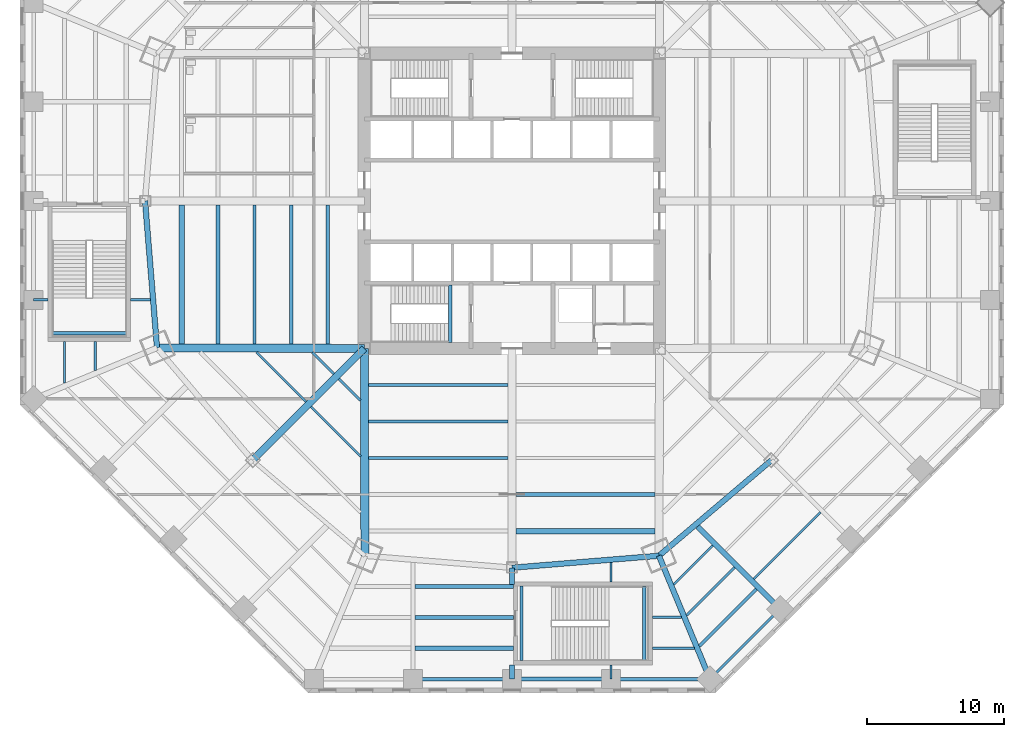
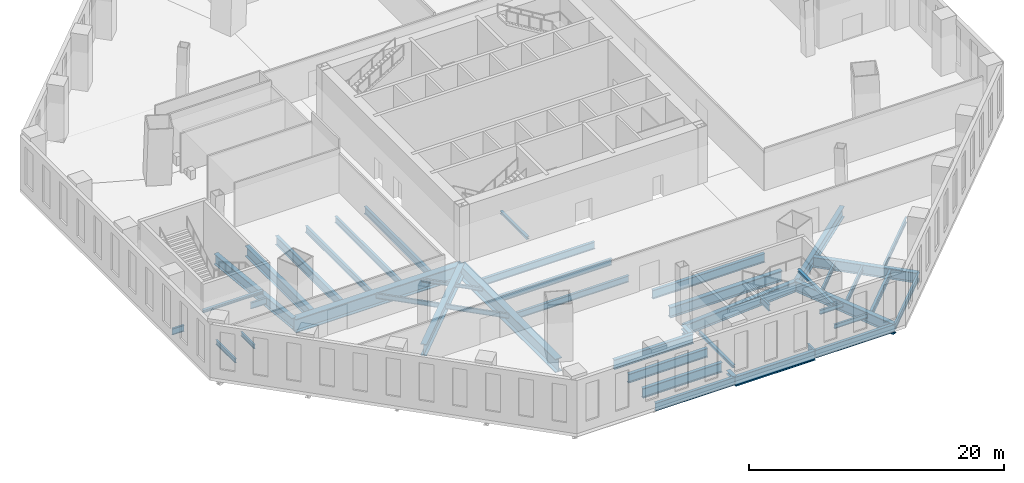
# One storey, part 2 of 18: 43 beams, 4 members.
"""IFC4 building model written with IfcOpenShell, lengths in metres."""

from ifc_helpers import new_model, si_unit, direction, frame, origin, origin_2d, place, context, subcontext, project, spatial, i_section, extrude, source, transform, mapped, material, material_profile, profile_set, type_object, type_shapes, element, save


model = new_model("IFC4")

# Units and contexts
model_context = context("Model", 3, precision=1e-05, world=origin(), true_north=direction((0.0, 1.0)))
body_context = subcontext(model_context, "Body", "Model", "MODEL_VIEW")
ifc_project = project(units=[si_unit("LENGTHUNIT", "METRE"), si_unit("AREAUNIT", "SQUARE_METRE"), si_unit("VOLUMEUNIT", "CUBIC_METRE"), si_unit("PLANEANGLEUNIT", "RADIAN"), si_unit("MASSUNIT", "GRAM", prefix="KILO")], contexts=[model_context])

# Site, building, storey
site_placement = place(None, origin())
site = spatial("IfcSite", under=ifc_project, at=site_placement, CompositionType="ELEMENT")
building_placement = place(site_placement, origin())
building = spatial("IfcBuilding", under=site, at=building_placement, Name="Mashrafa Tower", CompositionType="ELEMENT")
storey_placement = place(building_placement, frame((0.0, 0.0, 13.199951171875)))
storey = spatial("IfcBuildingStorey", under=building, at=storey_placement, Name="L02", CompositionType="ELEMENT", Elevation=13.199951171875)

# Beams
ifc_material_1 = material(Name="Steel ASTM A572 Gr 50", Category="steel")
ifc_material_profile_1 = material_profile(ifc_material_1, i_section(OverallWidth=0.5, OverallDepth=1.10009765625, WebThickness=0.02490234375, FlangeThickness=0.050048828125, at=origin_2d()), Name="H1100X500X25X50")
ifc_profile_set_1 = profile_set([ifc_material_profile_1], Name="Steel ASTM A572 Gr 50")
beam_type_1 = type_object("IfcBeamType", Name="Beam H1100X500X25X50", PredefinedType="BEAM", material=ifc_profile_set_1)
beam_1_placement = place(storey_placement, frame((-10.800048828125, -10.800048828125, -0.849853515625), z_axis=(-0.707106781187, -0.707106781187, 0.0), x_axis=(0.707106781187, -0.707106781187, 0.0)))
element("IfcBeam", 1, at=beam_1_placement, inside=storey, type_object=beam_type_1, Name="Radial girder L02 214", PredefinedType="BEAM", context=body_context, shape_type="SweptSolid", body=[
    extrude(i_section(OverallWidth=0.5, OverallDepth=1.10009765625, WebThickness=0.02490234375, FlangeThickness=0.050048828125, at=origin_2d()), origin(), (0.0, 0.0, 1.0), 11.576171875),
])
ifc_material_2 = material(Name="Steel ASTM A572 Gr 50", Category="steel")
ifc_material_profile_2 = material_profile(ifc_material_2, i_section(OverallWidth=0.60009765625, OverallDepth=1.300048828125, WebThickness=0.028076171875, FlangeThickness=0.06494140625, at=origin_2d()), Name="H1300X600X28X65")
ifc_profile_set_2 = profile_set([ifc_material_profile_2], Name="Steel ASTM A572 Gr 50")
beam_type_2 = type_object("IfcBeamType", Name="Beam H1300X600X28X65", PredefinedType="BEAM", material=ifc_profile_set_2)
for number, where, z_axis, x_axis, name in (
    (2, (-10.800048828125, -10.800048828125, -0.949951171875), (-0.999996124968, 0.002783890858, 0.0), (-0.002783890858, -0.999996124968, 0.0), "Radial girder L02 213"),
    (3, (-10.800048828125, -10.800048828125, -0.949951171875), (0.002783890858, -0.999996124968, 0.0), (0.999996124968, 0.002783890858, 0.0), "Radial girder L02 215"),
):
    element("IfcBeam", number, at=place(storey_placement, frame(where, z_axis=z_axis, x_axis=x_axis)), inside=storey, type_object=beam_type_2, Name=name, PredefinedType="BEAM", context=body_context, shape_type="SweptSolid", body=[
        extrude(i_section(OverallWidth=0.60009765625, OverallDepth=1.300048828125, WebThickness=0.028076171875, FlangeThickness=0.06494140625, at=origin_2d()), origin(), (0.0, 0.0, 1.0), 15.171630859375),
    ])
ifc_material_3 = material(Name="Steel ASTM A992", Category="steel")
ifc_material_profile_3 = material_profile(ifc_material_3, i_section(OverallWidth=0.164794921875, OverallDepth=0.309814453125, WebThickness=0.005859375, FlangeThickness=0.009765625, FilletRadius=0.007568359375, at=origin_2d()), Name="W12X26")
ifc_profile_set_3 = profile_set([ifc_material_profile_3], Name="Steel ASTM A992")
beam_type_3 = type_object("IfcBeamType", Name="Beam W12X26", PredefinedType="BEAM", material=ifc_profile_set_3)
for number, where, z_axis, x_axis, name in (
    (4, (-13.023193359375, -12.669677734375, -0.454833984375), (-0.707106781187, 0.707106781187, 0.0), (-0.707106781187, -0.707106781187, 0.0), "Floor beam L02 042"),
    (5, (-11.08935546875, -14.603515625, -0.454833984375), (-0.707106781187, 0.707106781187, 0.0), (-0.707106781187, -0.707106781187, 0.0), "Floor beam L02 048"),
):
    element("IfcBeam", number, at=place(storey_placement, frame(where, z_axis=z_axis, x_axis=x_axis)), inside=storey, type_object=beam_type_3, Name=name, PredefinedType="BEAM", context=body_context, shape_type="SweptSolid", body=[
        extrude(i_section(OverallWidth=0.164794921875, OverallDepth=0.309814453125, WebThickness=0.005859375, FlangeThickness=0.009765625, FilletRadius=0.007568359375, at=origin_2d()), origin(), (0.0, 0.0, 1.0), 2.23486328125),
    ])
ifc_material_4 = material(Name="Steel ASTM A992", Category="steel")
ifc_material_profile_4 = material_profile(ifc_material_4, i_section(OverallWidth=0.177734375, OverallDepth=0.406494140625, WebThickness=0.0078125, FlangeThickness=0.012939453125, FilletRadius=0.01025390625, at=origin_2d()), Name="W16X40")
ifc_profile_set_4 = profile_set([ifc_material_profile_4], Name="Steel ASTM A992")
beam_type_4 = type_object("IfcBeamType", Name="Beam W16X40", PredefinedType="BEAM", material=ifc_profile_set_4)
beam_2_placement = place(storey_placement, frame((-32.742919921875, -13.345458984375, -0.503173828125), z_axis=(0.0, 1.0, 0.0), x_axis=(-1.0, 0.0, 0.0)))
element("IfcBeam", 6, at=beam_2_placement, inside=storey, type_object=beam_type_4, Name="Floor beam L02 001", PredefinedType="BEAM", context=body_context, shape_type="SweptSolid", body=[
    extrude(i_section(OverallWidth=0.177734375, OverallDepth=0.406494140625, WebThickness=0.0078125, FlangeThickness=0.012939453125, FilletRadius=0.01025390625, at=origin_2d()), origin(), (0.0, 0.0, 1.0), 3.04541015625),
])
for number, where, z_axis, x_axis, name in (
    (7, (-30.48583984375, -12.410400390625, -0.503173828125), (0.0, 1.0, 0.0), (-1.0, 0.0, 0.0), "Floor beam L02 004"),
    (8, (12.410400390625, -30.48583984375, -0.503173828125), (-1.0, 0.0, 0.0), (0.0, -1.0, 0.0), "Floor beam L02 080"),
):
    element("IfcBeam", number, at=place(storey_placement, frame(where, z_axis=z_axis, x_axis=x_axis)), inside=storey, type_object=beam_type_4, Name=name, PredefinedType="BEAM", context=body_context, shape_type="SweptSolid", body=[
        extrude(i_section(OverallWidth=0.177734375, OverallDepth=0.406494140625, WebThickness=0.0078125, FlangeThickness=0.012939453125, FilletRadius=0.01025390625, at=origin_2d()), origin(), (0.0, 0.0, 1.0), 2.1103515625),
    ])
beam_3_placement = place(storey_placement, frame((13.345458984375, -32.742919921875, -0.503173828125), z_axis=(-1.0, 0.0, 0.0), x_axis=(0.0, -1.0, 0.0)))
element("IfcBeam", 9, at=beam_3_placement, inside=storey, type_object=beam_type_4, Name="Floor beam L02 085", PredefinedType="BEAM", context=body_context, shape_type="SweptSolid", body=[
    extrude(i_section(OverallWidth=0.177734375, OverallDepth=0.406494140625, WebThickness=0.0078125, FlangeThickness=0.012939453125, FilletRadius=0.01025390625, at=origin_2d()), origin(), (0.0, 0.0, 1.0), 3.04541015625),
])
ifc_material_5 = material(Name="Steel ASTM A992", Category="steel")
ifc_material_profile_5 = material_profile(ifc_material_5, i_section(OverallWidth=0.15234375, OverallDepth=0.449462890625, WebThickness=0.007568359375, FlangeThickness=0.0107421875, FilletRadius=0.01025390625, at=origin_2d()), Name="W18X35")
ifc_profile_set_5 = profile_set([ifc_material_profile_5], Name="Steel ASTM A992")
beam_type_5 = type_object("IfcBeamType", Name="Beam W18X35", PredefinedType="BEAM", material=ifc_profile_set_5)
for number, where, z_axis, x_axis, name in (
    (10, (-15.069580078125, -14.716064453125, -0.524658203125), (-0.707106781187, 0.707106781187, 0.0), (-0.707106781187, -0.707106781187, 0.0), "Floor beam L02 035"),
    (11, (-11.077880859375, -18.707763671875, -0.524658203125), (-0.707106781187, 0.707106781187, 0.0), (-0.707106781187, -0.707106781187, 0.0), "Floor beam L02 051"),
):
    element("IfcBeam", number, at=place(storey_placement, frame(where, z_axis=z_axis, x_axis=x_axis)), inside=storey, type_object=beam_type_5, Name=name, PredefinedType="BEAM", context=body_context, shape_type="SweptSolid", body=[
        extrude(i_section(OverallWidth=0.15234375, OverallDepth=0.449462890625, WebThickness=0.007568359375, FlangeThickness=0.0107421875, FilletRadius=0.01025390625, at=origin_2d()), origin(), (0.0, 0.0, 1.0), 5.145263671875),
    ])
ifc_material_6 = material(Name="Steel ASTM A992", Category="steel")
ifc_material_profile_6 = material_profile(ifc_material_6, i_section(OverallWidth=0.1650390625, OverallDepth=0.52587890625, WebThickness=0.0087890625, FlangeThickness=0.011474609375, FilletRadius=0.0126953125, at=origin_2d()), Name="W21X44")
ifc_profile_set_6 = profile_set([ifc_material_profile_6], Name="Steel ASTM A992")
beam_type_6 = type_object("IfcBeamType", Name="Beam W21X44", PredefinedType="BEAM", material=ifc_profile_set_6)
beam_4_placement = place(storey_placement, frame((22.57958984375, -22.796875, -0.562744140625), z_axis=(-0.707089075409, -0.707124486521, 0.0), x_axis=(0.707124486521, -0.707089075409, 0.0)))
element("IfcBeam", 12, at=beam_4_placement, inside=storey, type_object=beam_type_6, Name="Floor beam L02 104", PredefinedType="BEAM", context=body_context, shape_type="SweptSolid", body=[
    extrude(i_section(OverallWidth=0.1650390625, OverallDepth=0.52587890625, WebThickness=0.0087890625, FlangeThickness=0.011474609375, FilletRadius=0.0126953125, at=origin_2d()), origin(), (0.0, 0.0, 1.0), 6.89453125),
])
ifc_material_7 = material(Name="Steel ASTM A992", Category="steel")
ifc_material_profile_7 = material_profile(ifc_material_7, i_section(OverallWidth=0.165771484375, OverallDepth=0.5283203125, WebThickness=0.009765625, FlangeThickness=0.013671875, FilletRadius=0.012939453125, at=origin_2d()), Name="W21X50")
ifc_profile_set_7 = profile_set([ifc_material_profile_7], Name="Steel ASTM A992")
beam_type_7 = type_object("IfcBeamType", Name="Beam W21X50", PredefinedType="BEAM", material=ifc_profile_set_7)
beam_5_placement = place(storey_placement, frame((14.693115234375, -25.228271484375, -0.564208984375), z_axis=(-0.707106781187, -0.707106781187, 0.0), x_axis=(0.707106781187, -0.707106781187, 0.0)))
element("IfcBeam", 13, at=beam_5_placement, inside=storey, type_object=beam_type_7, Name="Floor beam L02 087", PredefinedType="BEAM", context=body_context, shape_type="SweptSolid", body=[
    extrude(i_section(OverallWidth=0.165771484375, OverallDepth=0.5283203125, WebThickness=0.009765625, FlangeThickness=0.013671875, FilletRadius=0.012939453125, at=origin_2d()), origin(), (0.0, 0.0, 1.0), 4.026123046875),
])
beam_6_placement = place(storey_placement, frame((16.289306640625, -26.82421875, -0.564208984375), z_axis=(-0.707106781187, -0.707106781187, 0.0), x_axis=(0.707106781187, -0.707106781187, 0.0)))
element("IfcBeam", 14, at=beam_6_placement, inside=storey, type_object=beam_type_7, Name="Floor beam L02 093", PredefinedType="BEAM", context=body_context, shape_type="SweptSolid", body=[
    extrude(i_section(OverallWidth=0.165771484375, OverallDepth=0.5283203125, WebThickness=0.009765625, FlangeThickness=0.013671875, FilletRadius=0.012939453125, at=origin_2d()), origin(), (0.0, 0.0, 1.0), 4.961181640625),
])
ifc_material_8 = material(Name="Steel ASTM A992", Category="steel")
ifc_material_profile_8 = material_profile(ifc_material_8, i_section(OverallWidth=0.177978515625, OverallDepth=0.599365234375, WebThickness=0.010009765625, FlangeThickness=0.012939453125, FilletRadius=0.012939453125, at=origin_2d()), Name="W24X55")
ifc_profile_set_8 = profile_set([ifc_material_profile_8], Name="Steel ASTM A992")
beam_type_8 = type_object("IfcBeamType", Name="Beam W24X55", PredefinedType="BEAM", material=ifc_profile_set_8)
beam_7_placement = place(storey_placement, frame((14.49755859375, -35.0, -0.599609375), z_axis=(0.707106781187, 0.707106781187, 0.0), x_axis=(-0.707106781187, 0.707106781187, 0.0)))
element("IfcBeam", 15, at=beam_7_placement, inside=storey, type_object=beam_type_8, Name="Podium edge beam L02 143", PredefinedType="BEAM", context=body_context, shape_type="SweptSolid", body=[
    extrude(i_section(OverallWidth=0.177978515625, OverallDepth=0.599365234375, WebThickness=0.010009765625, FlangeThickness=0.012939453125, FilletRadius=0.012939453125, at=origin_2d()), origin(), (0.0, 0.0, 1.0), 7.24853515625),
])
for number, where, z_axis, x_axis, name in (
    (16, (-26.45947265625, -7.248779296875, -0.599609375), (-1.0, 0.0, 0.0), (0.0, -1.0, 0.0), "Podium radial beam L02 159"),
    (17, (7.248779296875, -26.45947265625, -0.599609375), (0.0, -1.0, 0.0), (1.0, 0.0, 0.0), "Podium radial beam L02 179"),
):
    element("IfcBeam", number, at=place(storey_placement, frame(where, z_axis=z_axis, x_axis=x_axis)), inside=storey, type_object=beam_type_8, Name=name, PredefinedType="BEAM", context=body_context, shape_type="SweptSolid", body=[
        extrude(i_section(OverallWidth=0.177978515625, OverallDepth=0.599365234375, WebThickness=0.010009765625, FlangeThickness=0.012939453125, FilletRadius=0.012939453125, at=origin_2d()), origin(), (0.0, 0.0, 1.0), 1.4404296875),
    ])
ifc_material_9 = material(Name="Steel ASTM A992", Category="steel")
ifc_material_profile_9 = material_profile(ifc_material_9, i_section(OverallWidth=0.227783203125, OverallDepth=0.60205078125, WebThickness=0.010498046875, FlangeThickness=0.014892578125, FilletRadius=0.012939453125, at=origin_2d()), Name="W24X68")
ifc_profile_set_9 = profile_set([ifc_material_profile_9], Name="Steel ASTM A992")
beam_type_9 = type_object("IfcBeamType", Name="Beam W24X68", PredefinedType="BEAM", material=ifc_profile_set_9)
beam_8_placement = place(storey_placement, frame((17.88525390625, -28.42041015625, -0.600830078125), z_axis=(-0.707106781187, -0.707106781187, 0.0), x_axis=(0.707106781187, -0.707106781187, 0.0)))
element("IfcBeam", 18, at=beam_8_placement, inside=storey, type_object=beam_type_9, Name="Floor beam L02 096", PredefinedType="BEAM", context=body_context, shape_type="SweptSolid", body=[
    extrude(i_section(OverallWidth=0.227783203125, OverallDepth=0.60205078125, WebThickness=0.010498046875, FlangeThickness=0.014892578125, FilletRadius=0.012939453125, at=origin_2d()), origin(), (0.0, 0.0, 1.0), 5.895751953125),
])
ifc_material_10 = material(Name="Steel ASTM A992", Category="steel")
ifc_material_profile_10 = material_profile(ifc_material_10, i_section(OverallWidth=0.228271484375, OverallDepth=0.607177734375, WebThickness=0.01123046875, FlangeThickness=0.017333984375, FilletRadius=0.0126953125, at=origin_2d()), Name="W24X76")
ifc_profile_set_10 = profile_set([ifc_material_profile_10], Name="Steel ASTM A992")
beam_type_10 = type_object("IfcBeamType", Name="Beam W24X76", PredefinedType="BEAM", material=ifc_profile_set_10)
beam_9_placement = place(storey_placement, frame((-18.824951171875, -10.477783203125, -0.603515625), z_axis=(0.0, 1.0, 0.0), x_axis=(-1.0, 0.0, 0.0)))
element("IfcBeam", 19, at=beam_9_placement, inside=storey, type_object=beam_type_10, Name="Floor beam L02 024", PredefinedType="BEAM", context=body_context, shape_type="SweptSolid", body=[
    extrude(i_section(OverallWidth=0.228271484375, OverallDepth=0.607177734375, WebThickness=0.01123046875, FlangeThickness=0.017333984375, FilletRadius=0.0126953125, at=origin_2d()), origin(), (0.0, 0.0, 1.0), 10.177734375),
])
beam_10_placement = place(storey_placement, frame((-16.14990234375, -10.485107421875, -0.603515625), z_axis=(0.0, 1.0, 0.0), x_axis=(-1.0, 0.0, 0.0)))
element("IfcBeam", 20, at=beam_10_placement, inside=storey, type_object=beam_type_10, Name="Floor beam L02 031", PredefinedType="BEAM", context=body_context, shape_type="SweptSolid", body=[
    extrude(i_section(OverallWidth=0.228271484375, OverallDepth=0.607177734375, WebThickness=0.01123046875, FlangeThickness=0.017333984375, FilletRadius=0.0126953125, at=origin_2d()), origin(), (0.0, 0.0, 1.0), 10.18505859375),
])
beam_11_placement = place(storey_placement, frame((-0.300048828125, -18.824951171875, -0.603515625), z_axis=(-1.0, 0.0, 0.0), x_axis=(0.0, -1.0, 0.0)))
element("IfcBeam", 21, at=beam_11_placement, inside=storey, type_object=beam_type_10, Name="Floor beam L02 060", PredefinedType="BEAM", context=body_context, shape_type="SweptSolid", body=[
    extrude(i_section(OverallWidth=0.228271484375, OverallDepth=0.607177734375, WebThickness=0.01123046875, FlangeThickness=0.017333984375, FilletRadius=0.0126953125, at=origin_2d()), origin(), (0.0, 0.0, 1.0), 10.177734375),
])
beam_12_placement = place(storey_placement, frame((-0.300048828125, -16.14990234375, -0.603515625), z_axis=(-1.0, 0.0, 0.0), x_axis=(0.0, -1.0, 0.0)))
element("IfcBeam", 22, at=beam_12_placement, inside=storey, type_object=beam_type_10, Name="Floor beam L02 061", PredefinedType="BEAM", context=body_context, shape_type="SweptSolid", body=[
    extrude(i_section(OverallWidth=0.228271484375, OverallDepth=0.607177734375, WebThickness=0.01123046875, FlangeThickness=0.017333984375, FilletRadius=0.0126953125, at=origin_2d()), origin(), (0.0, 0.0, 1.0), 10.18505859375),
])
ifc_material_11 = material(Name="Steel ASTM A992", Category="steel")
ifc_material_profile_11 = material_profile(ifc_material_11, i_section(OverallWidth=0.25390625, OverallDepth=0.67822265625, WebThickness=0.01171875, FlangeThickness=0.016357421875, FilletRadius=0.01513671875, at=origin_2d()), Name="W27X84")
ifc_profile_set_11 = profile_set([ifc_material_profile_11], Name="Steel ASTM A992")
beam_type_11 = type_object("IfcBeamType", Name="Beam W27X84", PredefinedType="BEAM", material=ifc_profile_set_11)
for number, where, z_axis, x_axis, name in (
    (23, (-13.47509765625, -10.49267578125, -0.63916015625), (0.0, 1.0, 0.0), (-1.0, 0.0, 0.0), "Floor beam L02 040"),
    (24, (-0.300048828125, -13.47509765625, -0.63916015625), (-1.0, 0.0, 0.0), (0.0, -1.0, 0.0), "Floor beam L02 062"),
):
    element("IfcBeam", number, at=place(storey_placement, frame(where, z_axis=z_axis, x_axis=x_axis)), inside=storey, type_object=beam_type_11, Name=name, PredefinedType="BEAM", context=body_context, shape_type="SweptSolid", body=[
        extrude(i_section(OverallWidth=0.25390625, OverallDepth=0.67822265625, WebThickness=0.01171875, FlangeThickness=0.016357421875, FilletRadius=0.01513671875, at=origin_2d()), origin(), (0.0, 0.0, 1.0), 10.192626953125),
    ])
ifc_material_12 = material(Name="Steel ASTM A992", Category="steel")
ifc_material_profile_12 = material_profile(ifc_material_12, i_section(OverallWidth=0.2666015625, OverallDepth=0.75439453125, WebThickness=0.01318359375, FlangeThickness=0.01708984375, FilletRadius=0.0166015625, at=origin_2d()), Name="W30X99")
ifc_profile_set_12 = profile_set([ifc_material_profile_12], Name="Steel ASTM A992")
beam_type_12 = type_object("IfcBeamType", Name="Beam W30X99", PredefinedType="BEAM", material=ifc_profile_set_12)
for number, where, z_axis, x_axis, name in (
    (25, (-7.248779296875, -35.0, -0.67724609375), (1.0, 0.0, 0.0), (0.0, 1.0, 0.0), "Podium edge beam L02 137"),
    (26, (7.248779296875, -35.0, -0.67724609375), (1.0, 0.0, 0.0), (0.0, 1.0, 0.0), "Podium edge beam L02 141"),
):
    element("IfcBeam", number, at=place(storey_placement, frame(where, z_axis=z_axis, x_axis=x_axis)), inside=storey, type_object=beam_type_12, Name=name, PredefinedType="BEAM", context=body_context, shape_type="SweptSolid", body=[
        extrude(i_section(OverallWidth=0.2666015625, OverallDepth=0.75439453125, WebThickness=0.01318359375, FlangeThickness=0.01708984375, FilletRadius=0.0166015625, at=origin_2d()), origin(), (0.0, 0.0, 1.0), 7.248779296875),
    ])
ifc_material_13 = material(Name="Steel ASTM A992", Category="steel")
ifc_material_profile_13 = material_profile(ifc_material_13, i_section(OverallWidth=0.2919921875, OverallDepth=0.845703125, WebThickness=0.015380859375, FlangeThickness=0.0244140625, FilletRadius=0.017333984375, at=origin_2d()), Name="W33X141")
ifc_profile_set_13 = profile_set([ifc_material_profile_13], Name="Steel ASTM A992")
beam_type_13 = type_object("IfcBeamType", Name="Beam W33X141", PredefinedType="BEAM", material=ifc_profile_set_13)
for number, where, z_axis, x_axis, name in (
    (27, (-21.5, -10.47021484375, -0.722900390625), (0.0, 1.0, 0.0), (-1.0, 0.0, 0.0), "Floor beam L02 019"),
    (28, (10.47021484375, -21.5, -0.722900390625), (-1.0, 0.0, 0.0), (0.0, -1.0, 0.0), "Floor beam L02 073"),
):
    element("IfcBeam", number, at=place(storey_placement, frame(where, z_axis=z_axis, x_axis=x_axis)), inside=storey, type_object=beam_type_13, Name=name, PredefinedType="BEAM", context=body_context, shape_type="SweptSolid", body=[
        extrude(i_section(OverallWidth=0.2919921875, OverallDepth=0.845703125, WebThickness=0.015380859375, FlangeThickness=0.0244140625, FilletRadius=0.017333984375, at=origin_2d()), origin(), (0.0, 0.0, 1.0), 10.170166015625),
    ])
ifc_material_14 = material(Name="Steel ASTM A992", Category="steel")
ifc_material_profile_14 = material_profile(ifc_material_14, i_section(OverallWidth=0.2919921875, OverallDepth=0.8583984375, WebThickness=0.01708984375, FlangeThickness=0.031005859375, FilletRadius=0.017822265625, at=origin_2d()), Name="W33X169")
ifc_profile_set_14 = profile_set([ifc_material_profile_14], Name="Steel ASTM A992")
beam_type_14 = type_object("IfcBeamType", Name="Beam W33X169", PredefinedType="BEAM", material=ifc_profile_set_14)
beam_13_placement = place(storey_placement, frame((0.10009765625, -30.48583984375, -0.729248046875), z_axis=(-1.0, 0.0, 0.0), x_axis=(0.0, -1.0, 0.0)))
element("IfcBeam", 29, at=beam_13_placement, inside=storey, type_object=beam_type_14, Name="Floor beam L02 069 part 1", PredefinedType="BEAM", context=body_context, shape_type="SweptSolid", body=[
    extrude(i_section(OverallWidth=0.2919921875, OverallDepth=0.8583984375, WebThickness=0.01708984375, FlangeThickness=0.031005859375, FilletRadius=0.017822265625, at=origin_2d()), origin(), (0.0, 0.0, 1.0), 7.195068359375),
])
ifc_material_15 = material(Name="Steel ASTM A992", Category="steel")
ifc_material_profile_15 = material_profile(ifc_material_15, i_section(OverallWidth=0.3046875, OverallDepth=0.911865234375, WebThickness=0.015869140625, FlangeThickness=0.02392578125, FilletRadius=0.01904296875, at=origin_2d()), Name="W36X150")
ifc_profile_set_15 = profile_set([ifc_material_profile_15], Name="Steel ASTM A992")
beam_type_15 = type_object("IfcBeamType", Name="Beam W36X150", PredefinedType="BEAM", material=ifc_profile_set_15)
beam_14_placement = place(storey_placement, frame((0.0, -35.0, -0.755859375), z_axis=(1.0, 0.0, 0.0), x_axis=(0.0, 1.0, 0.0)))
element("IfcBeam", 30, at=beam_14_placement, inside=storey, type_object=beam_type_15, Name="Podium edge beam L02 139", PredefinedType="BEAM", context=body_context, shape_type="SweptSolid", body=[
    extrude(i_section(OverallWidth=0.3046875, OverallDepth=0.911865234375, WebThickness=0.015869140625, FlangeThickness=0.02392578125, FilletRadius=0.01904296875, at=origin_2d()), origin(), (0.0, 0.0, 1.0), 7.248779296875),
])
ifc_material_16 = material(Name="Steel ASTM A992", Category="steel")
ifc_material_profile_16 = material_profile(ifc_material_16, i_section(OverallWidth=0.307373046875, OverallDepth=0.927001953125, WebThickness=0.01953125, FlangeThickness=0.031982421875, FilletRadius=0.01904296875, at=origin_2d()), Name="W36X194")
ifc_profile_set_16 = profile_set([ifc_material_profile_16], Name="Steel ASTM A992")
beam_type_16 = type_object("IfcBeamType", Name="Beam W36X194", PredefinedType="BEAM", material=ifc_profile_set_16)
for number, where, z_axis, x_axis, name in (
    (31, (0.10009765625, -32.742919921875, -0.763427734375), (-1.0, 0.0, 0.0), (0.0, -1.0, 0.0), "Floor beam L02 068 part 1"),
    (32, (0.10009765625, -28.228759765625, -0.763427734375), (-1.0, 0.0, 0.0), (0.0, -1.0, 0.0), "Floor beam L02 070 part 1"),
):
    element("IfcBeam", number, at=place(storey_placement, frame(where, z_axis=z_axis, x_axis=x_axis)), inside=storey, type_object=beam_type_16, Name=name, PredefinedType="BEAM", context=body_context, shape_type="SweptSolid", body=[
        extrude(i_section(OverallWidth=0.307373046875, OverallDepth=0.927001953125, WebThickness=0.01953125, FlangeThickness=0.031982421875, FilletRadius=0.01904296875, at=origin_2d()), origin(), (0.0, 0.0, 1.0), 7.195068359375),
    ])
ifc_material_17 = material(Name="Steel ASTM A992", Category="steel")
ifc_material_profile_17 = material_profile(ifc_material_17, i_section(OverallWidth=0.4013671875, OverallDepth=0.98291015625, WebThickness=0.0166015625, FlangeThickness=0.027099609375, FilletRadius=0.0126953125, at=origin_2d()), Name="W40X199")
ifc_profile_set_17 = profile_set([ifc_material_profile_17], Name="Steel ASTM A992")
beam_type_17 = type_object("IfcBeamType", Name="Beam W40X199", PredefinedType="BEAM", material=ifc_profile_set_17)
beam_15_placement = place(storey_placement, frame((13.583984375, -23.835205078125, -0.79150390625), z_axis=(0.707092488261, -0.707121073824, 0.0), x_axis=(0.707121073824, 0.707092488261, 0.0)))
element("IfcBeam", 33, at=beam_15_placement, inside=storey, type_object=beam_type_17, Name="Podium radial beam L02 183", PredefinedType="BEAM", context=body_context, shape_type="SweptSolid", body=[
    extrude(i_section(OverallWidth=0.4013671875, OverallDepth=0.98291015625, WebThickness=0.0166015625, FlangeThickness=0.027099609375, FilletRadius=0.0126953125, at=origin_2d()), origin(), (0.0, 0.0, 1.0), 8.540771484375),
])
ifc_material_18 = material(Name="Steel ASTM A992", Category="steel")
ifc_material_profile_18 = material_profile(ifc_material_18, i_section(OverallWidth=0.4013671875, OverallDepth=1.010986328125, WebThickness=0.023681640625, FlangeThickness=0.0419921875, FilletRadius=0.02001953125, at=origin_2d()), Name="W40X297")
ifc_profile_set_18 = profile_set([ifc_material_profile_18], Name="Steel ASTM A992")
beam_type_18 = type_object("IfcBeamType", Name="Beam W40X297", PredefinedType="BEAM", material=ifc_profile_set_18)
for number, where, z_axis, x_axis, name in (
    (34, (-24.1748046875, -10.462890625, -0.805419921875), (0.0, 1.0, 0.0), (-1.0, 0.0, 0.0), "Floor beam L02 014"),
    (35, (10.462890625, -24.1748046875, -0.805419921875), (-1.0, 0.0, 0.0), (0.0, -1.0, 0.0), "Floor beam L02 071"),
):
    element("IfcBeam", number, at=place(storey_placement, frame(where, z_axis=z_axis, x_axis=x_axis)), inside=storey, type_object=beam_type_18, Name=name, PredefinedType="BEAM", context=body_context, shape_type="SweptSolid", body=[
        extrude(i_section(OverallWidth=0.4013671875, OverallDepth=1.010986328125, WebThickness=0.023681640625, FlangeThickness=0.0419921875, FilletRadius=0.02001953125, at=origin_2d()), origin(), (0.0, 0.0, 1.0), 10.162841796875),
    ])
beam_16_placement = place(storey_placement, frame((10.7578125, -25.9716796875, -0.805419921875), z_axis=(0.382691588167, -0.923876154225, 0.0), x_axis=(0.923876154225, 0.382691588167, 0.0)))
element("IfcBeam", 36, at=beam_16_placement, inside=storey, type_object=beam_type_18, Name="Podium radial beam L02 181", PredefinedType="BEAM", context=body_context, shape_type="SweptSolid", body=[
    extrude(i_section(OverallWidth=0.4013671875, OverallDepth=1.010986328125, WebThickness=0.023681640625, FlangeThickness=0.0419921875, FilletRadius=0.02001953125, at=origin_2d()), origin(), (0.0, 0.0, 1.0), 9.772216796875),
])
for number, where, z_axis, x_axis, name in (
    (37, (-26.849853515625, 0.0, -0.805419921875), (0.081360633784, -0.996684728121, 0.0), (0.996684728121, 0.081360633784, 0.0), "Podium ring girder L02 197"),
    (38, (0.0, -26.849853515625, -0.805419921875), (0.996684728121, 0.081360633784, 0.0), (-0.081360633784, 0.996684728121, 0.0), "Podium ring girder L02 204"),
    (39, (10.7578125, -25.9716796875, -0.805419921875), (0.762283550977, 0.647243221602, 0.0), (-0.647243221602, 0.762283550977, 0.0), "Podium ring girder L02 206"),
):
    element("IfcBeam", number, at=place(storey_placement, frame(where, z_axis=z_axis, x_axis=x_axis)), inside=storey, type_object=beam_type_18, Name=name, PredefinedType="BEAM", context=body_context, shape_type="SweptSolid", body=[
        extrude(i_section(OverallWidth=0.4013671875, OverallDepth=1.010986328125, WebThickness=0.023681640625, FlangeThickness=0.0419921875, FilletRadius=0.02001953125, at=origin_2d()), origin(), (0.0, 0.0, 1.0), 10.793701171875),
    ])
ifc_material_19 = material(Name="Steel ASTM A992", Category="steel")
ifc_material_profile_19 = material_profile(ifc_material_19, i_section(OverallWidth=0.25390625, OverallDepth=0.25390625, WebThickness=0.008544921875, FlangeThickness=0.01416015625, FilletRadius=0.010009765625, at=origin_2d()), Name="W10X49")
ifc_profile_set_19 = profile_set([ifc_material_profile_19], Name="Steel ASTM A992")
beam_type_19 = type_object("IfcBeamType", Name="Hoistway beam W10X49", PredefinedType="BEAM", material=ifc_profile_set_19)
beam_17_placement = place(storey_placement, frame((-4.530029296875, -10.35009765625, -0.427001953125), z_axis=(0.0, 1.0, 0.0), x_axis=(-1.0, 0.0, 0.0)))
element("IfcBeam", 40, at=beam_17_placement, inside=storey, type_object=beam_type_19, Name="Stair S3 landing beam L02", PredefinedType="BEAM", context=body_context, shape_type="SweptSolid", body=[
    extrude(i_section(OverallWidth=0.25390625, OverallDepth=0.25390625, WebThickness=0.008544921875, FlangeThickness=0.01416015625, FilletRadius=0.010009765625, at=origin_2d()), origin(), (0.0, 0.0, 1.0), 4.2001953125),
])
for number, where, z_axis, x_axis, name in (
    (41, (-33.64990234375, -9.699951171875, 2.373046875), (1.0, 0.0, 0.0), (0.0, 1.0, 0.0), "Stair P3 landing beam L02"),
    (42, (0.699951171875, -33.64990234375, -0.427001953125), (0.0, 1.0, 0.0), (-1.0, 0.0, 0.0), "Stair P4 landing beam L02"),
    (43, (9.699951171875, -33.64990234375, 2.373046875), (0.0, 1.0, 0.0), (-1.0, 0.0, 0.0), "Stair P4 landing beam L02"),
):
    element("IfcBeam", number, at=place(storey_placement, frame(where, z_axis=z_axis, x_axis=x_axis)), inside=storey, type_object=beam_type_19, Name=name, PredefinedType="BEAM", context=body_context, shape_type="SweptSolid", body=[
        extrude(i_section(OverallWidth=0.25390625, OverallDepth=0.25390625, WebThickness=0.008544921875, FlangeThickness=0.01416015625, FilletRadius=0.010009765625, at=origin_2d()), origin(), (0.0, 0.0, 1.0), 5.449951171875),
    ])

# Members
ifc_material_20 = material(Name="Steel ASTM A992", Category="steel")
ifc_material_profile_20 = material_profile(ifc_material_20, i_section(OverallWidth=0.177978515625, OverallDepth=0.599365234375, WebThickness=0.010009765625, FlangeThickness=0.012939453125, FilletRadius=0.012939453125, at=origin_2d()), Name="W24X55")
ifc_profile_set_20 = profile_set([ifc_material_profile_20], Name="Steel ASTM A992")
member_type_1 = type_object("IfcMemberType", Name="Tie strut W24X55", PredefinedType="STRUT", material=ifc_profile_set_20)
shared_shape_1 = source(origin(), body_context, "Body", "SweptSolid", [
    extrude(i_section(OverallWidth=0.177978515625, OverallDepth=0.599365234375, WebThickness=0.010009765625, FlangeThickness=0.012939453125, FilletRadius=0.012939453125, at=origin_2d()), origin(), (0.0, 0.0, 1.0), 1.050048828125),
])
type_shapes(member_type_1, [shared_shape_1])
for number, where, z_axis, x_axis, name in (
    (44, (-33.949951171875, -7.248779296875, -0.599609375), (-1.0, 0.0, 0.0), (0.0, -1.0, 0.0), "Tie strut L02 156"),
    (45, (7.248779296875, -33.949951171875, -0.599609375), (0.0, -1.0, 0.0), (1.0, 0.0, 0.0), "Tie strut L02 178"),
):
    element("IfcMember", number, at=place(storey_placement, frame(where, z_axis=z_axis, x_axis=x_axis)), inside=storey, type_object=member_type_1, Name=name, PredefinedType="STRUT", context=body_context, shape_type="MappedRepresentation", body=[
        mapped(shared_shape_1, transform((0.0, 0.0, 0.0))),
    ])
ifc_material_21 = material(Name="Steel ASTM A992", Category="steel")
ifc_material_profile_21 = material_profile(ifc_material_21, i_section(OverallWidth=0.368408203125, OverallDepth=0.355712890625, WebThickness=0.01123046875, FlangeThickness=0.01806640625, FilletRadius=0.01513671875, at=origin_2d()), Name="W14X90")
ifc_profile_set_21 = profile_set([ifc_material_profile_21], Name="Steel ASTM A992")
member_type_2 = type_object("IfcMemberType", Name="Tie strut W14X90", PredefinedType="STRUT", material=ifc_profile_set_21)
shared_shape_2 = source(origin(), body_context, "Body", "SweptSolid", [
    extrude(i_section(OverallWidth=0.368408203125, OverallDepth=0.355712890625, WebThickness=0.01123046875, FlangeThickness=0.01806640625, FilletRadius=0.01513671875, at=origin_2d()), origin(), (0.0, 0.0, 1.0), 1.050048828125),
])
member_1_placement = place(storey_placement, frame((0.0, -33.949951171875, -0.477783203125), z_axis=(0.0, -1.0, 0.0), x_axis=(1.0, 0.0, 0.0)))
element("IfcMember", 46, at=member_1_placement, inside=storey, type_object=member_type_2, Name="Tie strut L02 174", PredefinedType="STRUT", context=body_context, shape_type="MappedRepresentation", body=[
    mapped(shared_shape_2, transform((0.0, 0.0, 0.0))),
])
shared_shape_3 = source(origin(), body_context, "Body", "SweptSolid", [
    extrude(i_section(OverallWidth=0.368408203125, OverallDepth=0.355712890625, WebThickness=0.01123046875, FlangeThickness=0.01806640625, FilletRadius=0.01513671875, at=origin_2d()), origin(), (0.0, 0.0, 1.0), 1.22509765625),
])
type_shapes(member_type_2, [shared_shape_2, shared_shape_3])
member_2_placement = place(storey_placement, frame((0.0, -26.849853515625, -0.477783203125), z_axis=(0.0, -1.0, 0.0), x_axis=(1.0, 0.0, 0.0)))
element("IfcMember", 47, at=member_2_placement, inside=storey, type_object=member_type_2, Name="Tie strut L02 175", PredefinedType="STRUT", context=body_context, shape_type="MappedRepresentation", body=[
    mapped(shared_shape_3, transform((0.0, 0.0, 0.0))),
])

save(model, "model.ifc")
